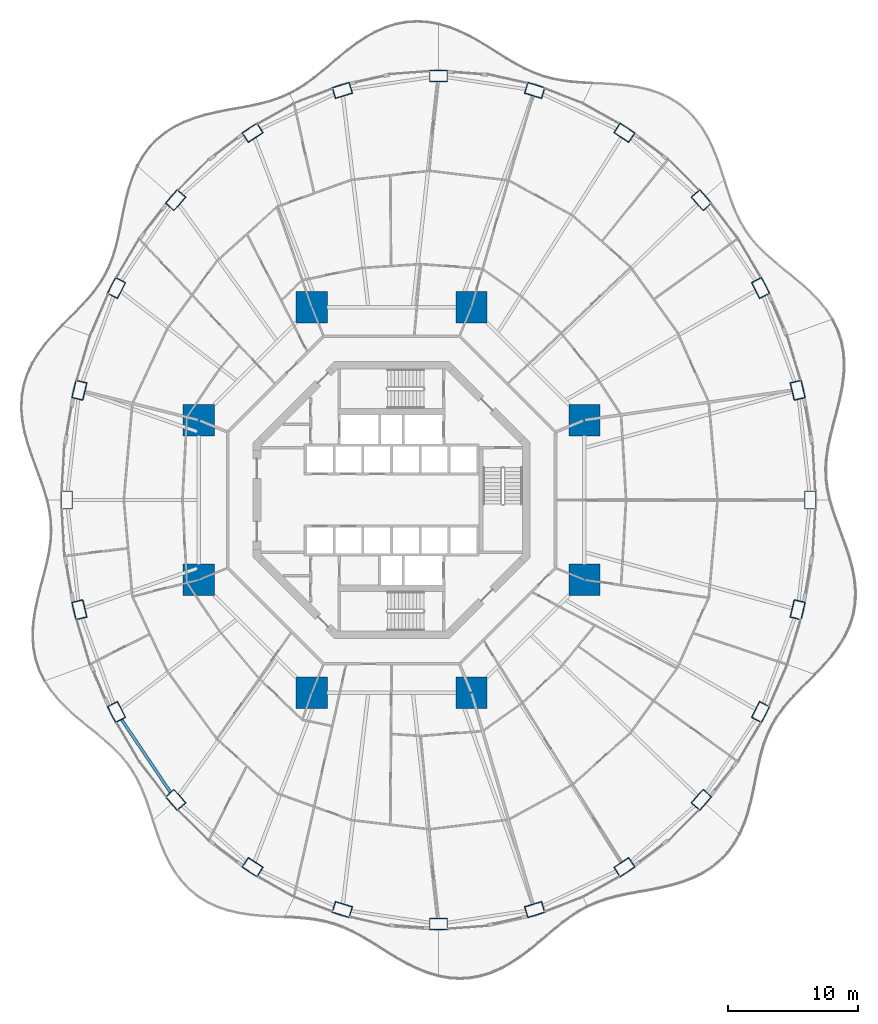
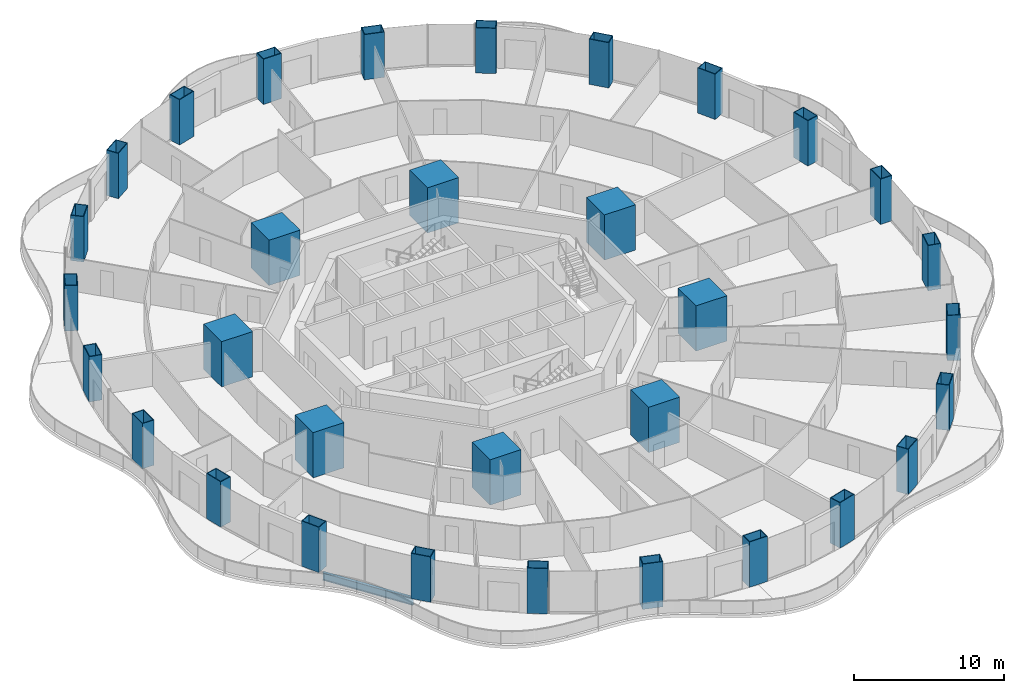
# One storey, part 1 of 22: 32 columns, 1 beam.
"""IFC4 building model written with IfcOpenShell, lengths in metres."""

from ifc_helpers import new_model, si_unit, direction, frame, origin, origin_2d, place, context, subcontext, project, spatial, rectangle, hollow_rectangle, i_section, extrude, material, material_profile, profile_set, type_object, element, save


model = new_model("IFC4")

# Units and contexts
model_context = context("Model", 3, precision=1e-05, world=origin(), true_north=direction((0.0, 1.0)))
body_context = subcontext(model_context, "Body", "Model", "MODEL_VIEW")
ifc_project = project(units=[si_unit("LENGTHUNIT", "METRE"), si_unit("AREAUNIT", "SQUARE_METRE"), si_unit("VOLUMEUNIT", "CUBIC_METRE"), si_unit("PLANEANGLEUNIT", "RADIAN"), si_unit("MASSUNIT", "GRAM", prefix="KILO")], contexts=[model_context])

# Site, building, storey
site_placement = place(None, origin())
site = spatial("IfcSite", under=ifc_project, at=site_placement, CompositionType="ELEMENT")
building_placement = place(site_placement, origin())
building = spatial("IfcBuilding", under=site, at=building_placement, Name="Nagisa Residences", CompositionType="ELEMENT")
storey_placement = place(building_placement, frame((0.0, 0.0, 41.800048828125)))
storey = spatial("IfcBuildingStorey", under=building, at=storey_placement, Name="L09", CompositionType="ELEMENT", Elevation=41.800048828125)

# Columns
ifc_material_1 = material(Name="Concrete C80", Category="concrete")
ifc_material_profile_1 = material_profile(ifc_material_1, rectangle(XDim=2.39990234375, YDim=2.39990234375, at=origin_2d()), Name="C80 2400x2400")
ifc_profile_set_1 = profile_set([ifc_material_profile_1], Name="Concrete C80")
column_type_1 = type_object("IfcColumnType", Name="Inner megacolumn C80 2400x2400", PredefinedType="COLUMN", material=ifc_profile_set_1)
for number, where, z_axis, x_axis, name in (
    (1, (14.781982421875, 6.123046875, 0.0), (0.0, 0.0, 1.0), (1.0, 0.0, 0.0), "col:L09:i1"),
    (2, (6.123046875, 14.781982421875, 0.0), (0.0, 0.0, 1.0), (1.0, 0.0, 0.0), "col:L09:i2"),
    (3, (-6.123046875, 14.781982421875, 0.0), (0.0, 0.0, 1.0), (1.0, 0.0, 0.0), "col:L09:i3"),
    (4, (-14.781982421875, 6.123046875, 0.0), (0.0, 0.0, 1.0), (1.0, 0.0, 0.0), "col:L09:i4"),
    (5, (-14.781982421875, -6.123046875, 0.0), (0.0, 0.0, 1.0), (1.0, 0.0, 0.0), "col:L09:i5"),
    (6, (-6.123046875, -14.781982421875, 0.0), (0.0, 0.0, 1.0), (1.0, 0.0, 0.0), "col:L09:i6"),
    (7, (6.123046875, -14.781982421875, 0.0), (0.0, 0.0, 1.0), (1.0, 0.0, 0.0), "col:L09:i7"),
    (8, (14.781982421875, -6.123046875, 0.0), (0.0, 0.0, 1.0), (1.0, 0.0, 0.0), "col:L09:i8"),
):
    element("IfcColumn", number, at=place(storey_placement, frame(where, z_axis=z_axis, x_axis=x_axis)), inside=storey, type_object=column_type_1, Name=name, PredefinedType="COLUMN", context=body_context, shape_type="SweptSolid", body=[
        extrude(rectangle(XDim=2.39990234375, YDim=2.39990234375, at=origin_2d()), origin(), (0.0, 0.0, 1.0), 3.699951171875),
    ])
ifc_material_2 = material(Name="Steel ASTM A572 Gr 50", Category="steel")
ifc_material_profile_2 = material_profile(ifc_material_2, hollow_rectangle(XDim=1.39990234375, YDim=0.89990234375, WallThickness=0.050048828125, at=origin_2d()), Name="BX 1400x900x50")
ifc_profile_set_2 = profile_set([ifc_material_profile_2], Name="Steel ASTM A572 Gr 50")
column_type_2 = type_object("IfcColumnType", Name="Perimeter column BX 1400x900x50", PredefinedType="COLUMN", material=ifc_profile_set_2)
for number, where, z_axis, x_axis, name in (
    (9, (32.10009765625, 0.0, 0.0), (0.0, 0.0, 1.0), (0.0, 1.0, 0.0), "col:L09:p00"),
    (10, (31.12890625, 8.41162109375, 0.0), (0.0, 0.0, 1.0), (-0.229202013103, 0.973378876486, 0.0), "col:L09:p01"),
    (11, (28.28173828125, 16.25, 0.0), (0.0, 0.0, 1.0), (-0.452462697578, 0.891783329795, 0.0), "col:L09:p02"),
    (12, (23.75244140625, 22.98095703125, 0.0), (0.0, 0.0, 1.0), (-0.660114607735, 0.751164898445, 0.0), "col:L09:p03"),
    (13, (17.85009765625, 28.145751953125, 0.0), (0.0, 0.0, 1.0), (-0.835766105673, 0.54908561865, 0.0), "col:L09:p04"),
    (14, (10.976318359375, 31.392578125, 0.0), (0.0, 0.0, 1.0), (-0.956524583408, 0.291651712384, 0.0), "col:L09:p05"),
    (15, (3.60009765625, 32.5, 0.0), (0.0, 0.0, 1.0), (-1.0, 0.0, 0.0), "col:L09:p06"),
    (16, (-3.7763671875, 31.392578125, 0.0), (0.0, 0.0, 1.0), (-0.956524583408, -0.291651712384, 0.0), "col:L09:p07"),
    (17, (-10.64990234375, 28.145751953125, 0.0), (0.0, 0.0, 1.0), (-0.835766105673, -0.54908561865, 0.0), "col:L09:p08"),
    (18, (-16.552490234375, 22.98095703125, 0.0), (0.0, 0.0, 1.0), (-0.660114607735, -0.751164898445, 0.0), "col:L09:p09"),
    (19, (-21.081787109375, 16.25, 0.0), (0.0, 0.0, 1.0), (-0.452462697578, -0.891783329795, 0.0), "col:L09:p10"),
    (20, (-23.928955078125, 8.41162109375, 0.0), (0.0, 0.0, 1.0), (-0.229202013103, -0.973378876486, 0.0), "col:L09:p11"),
    (21, (-24.89990234375, 0.0, 0.0), (0.0, 0.0, 1.0), (0.0, -1.0, 0.0), "col:L09:p12"),
    (22, (-23.928955078125, -8.41162109375, 0.0), (0.0, 0.0, 1.0), (0.229202013103, -0.973378876486, 0.0), "col:L09:p13"),
    (23, (-21.081787109375, -16.25, 0.0), (0.0, 0.0, 1.0), (0.452462697578, -0.891783329795, 0.0), "col:L09:p14"),
    (24, (-16.552490234375, -22.98095703125, 0.0), (0.0, 0.0, 1.0), (0.660114607735, -0.751164898445, 0.0), "col:L09:p15"),
    (25, (-10.64990234375, -28.145751953125, 0.0), (0.0, 0.0, 1.0), (0.835766105673, -0.54908561865, 0.0), "col:L09:p16"),
    (26, (-3.7763671875, -31.392578125, 0.0), (0.0, 0.0, 1.0), (0.956524583408, -0.291651712384, 0.0), "col:L09:p17"),
    (27, (3.60009765625, -32.5, 0.0), (0.0, 0.0, 1.0), (1.0, 0.0, 0.0), "col:L09:p18"),
    (28, (10.976318359375, -31.392578125, 0.0), (0.0, 0.0, 1.0), (0.956524583408, 0.291651712384, 0.0), "col:L09:p19"),
    (29, (17.85009765625, -28.145751953125, 0.0), (0.0, 0.0, 1.0), (0.835766105673, 0.54908561865, 0.0), "col:L09:p20"),
    (30, (23.75244140625, -22.98095703125, 0.0), (0.0, 0.0, 1.0), (0.660114607735, 0.751164898445, 0.0), "col:L09:p21"),
    (31, (28.28173828125, -16.25, 0.0), (0.0, 0.0, 1.0), (0.452462697578, 0.891783329795, 0.0), "col:L09:p22"),
    (32, (31.12890625, -8.41162109375, 0.0), (0.0, 0.0, 1.0), (0.229202013103, 0.973378876486, 0.0), "col:L09:p23"),
):
    element("IfcColumn", number, at=place(storey_placement, frame(where, z_axis=z_axis, x_axis=x_axis)), inside=storey, type_object=column_type_2, Name=name, PredefinedType="COLUMN", context=body_context, shape_type="SweptSolid", body=[
        extrude(hollow_rectangle(XDim=1.39990234375, YDim=0.89990234375, WallThickness=0.050048828125, at=origin_2d()), origin(), (0.0, 0.0, 1.0), 3.699951171875),
    ])

# Beam
ifc_material_3 = material(Name="Steel ASTM A572 Gr 50", Category="steel")
ifc_material_profile_3 = material_profile(ifc_material_3, i_section(OverallWidth=0.22802734375, OverallDepth=0.60302734375, WebThickness=0.010498046875, FlangeThickness=0.014892578125, at=origin_2d()), Name="W610x101")
ifc_profile_set_3 = profile_set([ifc_material_profile_3], Name="Steel ASTM A572 Gr 50")
beam_type = type_object("IfcBeamType", Name="Perimeter ring beam W610x101", PredefinedType="BEAM", material=ifc_profile_set_3)
beam_placement = place(storey_placement, frame((-20.69921875, -16.818603515625, -0.5615234375), z_axis=(0.558296806041, -0.829641293792, 0.0), x_axis=(0.829641293792, 0.558296806041, 0.0)))
element("IfcBeam", 33, at=beam_placement, inside=storey, type_object=beam_type, Name="beam:L09:pb15", PredefinedType="BEAM", context=body_context, shape_type="SweptSolid", body=[
    extrude(i_section(OverallWidth=0.22802734375, OverallDepth=0.60302734375, WebThickness=0.010498046875, FlangeThickness=0.014892578125, at=origin_2d()), origin(), (0.0, 0.0, 1.0), 6.74169921875),
])

save(model, "model.ifc")
